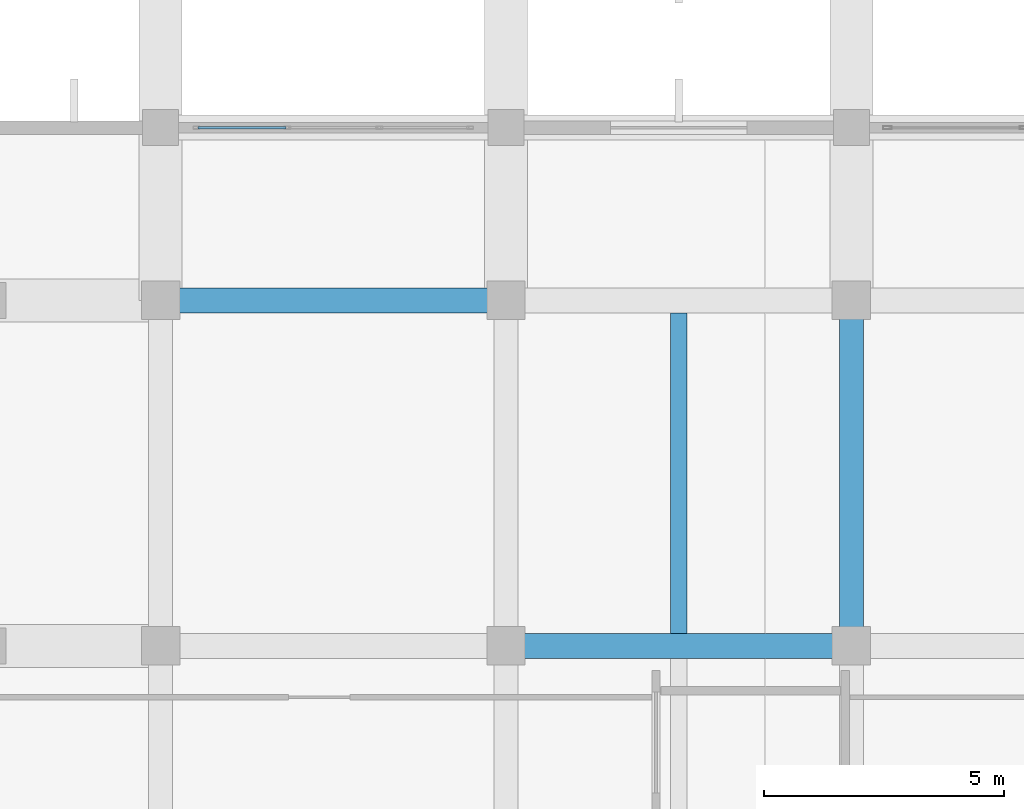
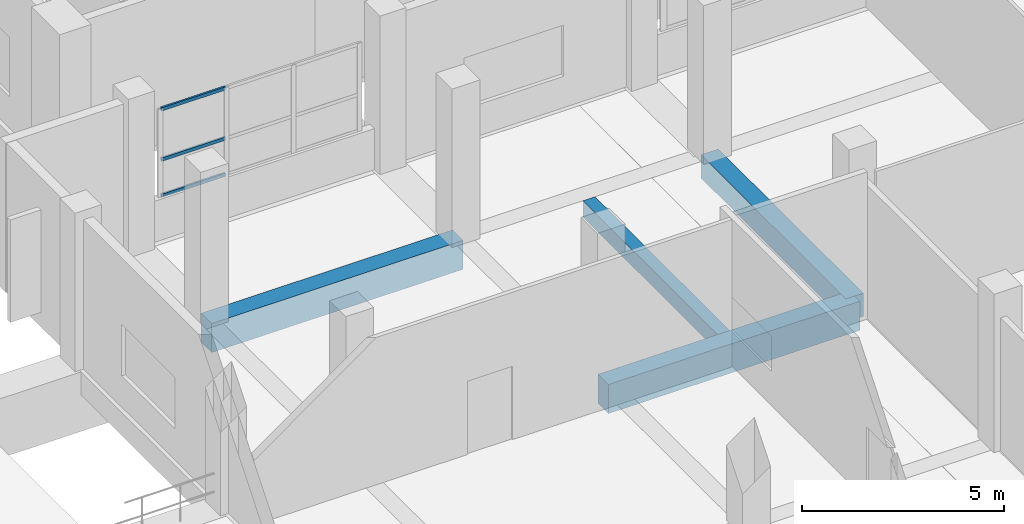
# One storey, part 56 of 140: 4 beams, 3 members, 1 element without a shape of its own.
"""IFC4 building model written with IfcOpenShell, lengths in metres."""

import ifcopenshell
import ifcopenshell.guid

model = None  # the IFC model being written
_history = None  # IfcOwnerHistory: only IFC2X3 demands one
_inside = {}  # id of a spatial element -> (the spatial element, [elements in it])
_under = {}  # id of a project, library or spatial element -> (it, [spatial elements below it])
_declared = {}  # id of a project -> (the project, [libraries it declares])
_typed = {}  # id of a type object -> (the type object, [elements of that type])
_made_of = {}  # id of a material, layer set ... -> (it, [elements and type objects made of it])


def new_model(schema):
    """Start an empty IFC model of exactly this schema.

    Asked for "IFC4X3", IfcOpenShell would pick the latest addendum, in which some entities
    have other attributes; the version numbers below select the first issue.
    IFC2X3 requires an IfcOwnerHistory on every rooted entity: one is made here for all.
    """
    global model, _history
    if schema == "IFC4X3":
        model = ifcopenshell.file(schema_version=(4, 3, 0, 0))
    else:
        model = ifcopenshell.file(schema=schema)
    _inside.clear()
    _under.clear()
    _declared.clear()
    _typed.clear()
    _made_of.clear()
    _history = None
    if model.schema == "IFC2X3":
        org = make("IfcOrganization", Name="unknown")
        user = make(
            "IfcPersonAndOrganization",
            ThePerson=make("IfcPerson", FamilyName="unknown"),
            TheOrganization=org,
        )
        app = make(
            "IfcApplication",
            ApplicationDeveloper=org,
            Version="unknown",
            ApplicationFullName="unknown",
            ApplicationIdentifier="unknown",
        )
        _history = make(
            "IfcOwnerHistory",
            OwningUser=user,
            OwningApplication=app,
            ChangeAction="ADDED",
            CreationDate=0,
        )
    return model


def make(cls, **values):
    """One entity of the class cls with the attributes given. An attribute that is None is left unset."""
    return model.create_entity(
        cls, **{name: value for name, value in values.items() if value is not None}
    )


def rooted(cls, **values):
    """An entity with a GlobalId (a new one), such as an element, a storey or a relation."""
    return make(cls, GlobalId=ifcopenshell.guid.new(), OwnerHistory=_history, **values)


def si_unit(unit_type, name, prefix=None):
    """IfcSIUnit, for example si_unit("LENGTHUNIT", "METRE", prefix="MILLI")."""
    return make("IfcSIUnit", UnitType=unit_type, Prefix=prefix, Name=name)


def assignment(units):
    """IfcUnitAssignment: the units of a project."""
    return None if units is None else make("IfcUnitAssignment", Units=units)


def point(xyz):
    """IfcCartesianPoint."""
    return None if xyz is None else make("IfcCartesianPoint", Coordinates=xyz)


def direction(xyz):
    """IfcDirection."""
    return None if xyz is None else make("IfcDirection", DirectionRatios=xyz)


def frame(location, z_axis=None, x_axis=None):
    """IfcAxis2Placement3D, a coordinate frame: its origin and axes. An axis left out is left unset."""
    return make(
        "IfcAxis2Placement3D",
        Location=point(location),
        Axis=direction(z_axis),
        RefDirection=direction(x_axis),
    )


def frame_2d(location, x_axis=None):
    """IfcAxis2Placement2D, a coordinate frame in the plane: its origin and x axis."""
    return make(
        "IfcAxis2Placement2D", Location=point(location), RefDirection=direction(x_axis)
    )


def origin():
    """The frame at (0, 0, 0) with its axes left unset."""
    return frame((0.0, 0.0, 0.0))


def origin_2d():
    """The frame at (0, 0) in the plane with its x axis left unset."""
    return frame_2d((0.0, 0.0))


def place(relative_to, where):
    """IfcLocalPlacement: puts the frame where relative to a parent placement (None: the world)."""
    return make(
        "IfcLocalPlacement", PlacementRelTo=relative_to, RelativePlacement=where
    )


def context(
    kind, dimensions, precision=None, world=None, true_north=None, identifier=None
):
    """IfcGeometricRepresentationContext, for example the 3D "Model" context."""
    return make(
        "IfcGeometricRepresentationContext",
        ContextIdentifier=identifier,
        ContextType=kind,
        CoordinateSpaceDimension=dimensions,
        Precision=precision,
        WorldCoordinateSystem=world,
        TrueNorth=true_north,
    )


def subcontext(parent, identifier, kind, view, scale=None):
    """IfcGeometricRepresentationSubContext, for example "Body" below "Model"."""
    return make(
        "IfcGeometricRepresentationSubContext",
        ContextIdentifier=identifier,
        ContextType=kind,
        ParentContext=parent,
        TargetScale=scale,
        TargetView=view,
    )


def project(units=None, contexts=None):
    """IfcProject with its units and contexts."""
    return rooted(
        "IfcProject",
        Name="project",
        RepresentationContexts=contexts,
        UnitsInContext=assignment(units),
    )


def spatial(cls, under=None, at=None, **own):
    """A site, building, storey or space (cls), placed at a placement, below another one or the project."""
    s = rooted(cls, ObjectPlacement=at, **own)
    if under is not None:
        _under.setdefault(under.id(), (under, []))[1].append(s)
    return s


def profile(cls, at=None, kind="AREA", **sizes):
    """A parametric profile (cls). Its sizes go by their IFC names, for example OverallWidth=200.0."""
    return make(cls, ProfileType=kind, Position=at, **sizes)


def rectangle(**sizes):
    """IfcRectangleProfileDef."""
    return profile("IfcRectangleProfileDef", **sizes)


def hollow_rectangle(**sizes):
    """IfcRectangleHollowProfileDef."""
    return profile("IfcRectangleHollowProfileDef", **sizes)


def extrude(swept, where, along, depth):
    """IfcExtrudedAreaSolid: the profile swept, set in the frame where, extruded along a direction by depth."""
    return make(
        "IfcExtrudedAreaSolid",
        SweptArea=swept,
        Position=where,
        ExtrudedDirection=direction(along),
        Depth=depth,
    )


def shape(context_of_items, identifier, shape_type, items):
    """IfcShapeRepresentation: the items that make up one representation, for example the "Body"."""
    return make(
        "IfcShapeRepresentation",
        ContextOfItems=context_of_items,
        RepresentationIdentifier=identifier,
        RepresentationType=shape_type,
        Items=items,
    )


def material(Name=None, Category=None):
    """IfcMaterial."""
    return make("IfcMaterial", Name=Name, Category=Category)


def layer(
    of_material, thickness, ventilated=None, Name=None, Category=None, Priority=None
):
    """IfcMaterialLayer: one layer of a wall or slab, of a material (None: an air gap)."""
    return make(
        "IfcMaterialLayer",
        Material=of_material,
        LayerThickness=thickness,
        IsVentilated=ventilated,
        Name=Name,
        Category=Category,
        Priority=Priority,
    )


def layer_set(layers, Name=None):
    """IfcMaterialLayerSet."""
    return make("IfcMaterialLayerSet", MaterialLayers=layers, LayerSetName=Name)


def material_profile(
    of_material, cross_section, Name=None, Category=None, Priority=None
):
    """IfcMaterialProfile: a cross section and its material."""
    return make(
        "IfcMaterialProfile",
        Name=Name,
        Material=of_material,
        Profile=cross_section,
        Priority=Priority,
        Category=Category,
    )


def profile_set(profiles, Name=None, composite=None):
    """IfcMaterialProfileSet."""
    return make(
        "IfcMaterialProfileSet",
        Name=Name,
        MaterialProfiles=profiles,
        CompositeProfile=composite,
    )


def made_of(thing, what):
    """Note that an element or type object is made of a material, layer set ...; save() writes the relation."""
    if what is not None:
        _made_of.setdefault(what.id(), (what, []))[1].append(thing)
    return thing


def type_object(cls, material=None, **own):
    """A type object (cls), such as IfcWallType, which elements share."""
    return made_of(rooted(cls, **own), material)


def element(
    cls,
    number,
    at=None,
    inside=None,
    cuts=None,
    type_object=None,
    material=None,
    context=None,
    identifier="Body",
    shape_type=None,
    held_by="IfcProductDefinitionShape",
    body=None,
    shapes=None,
    **own,
):
    """One element of the class cls, such as IfcWall. Its Tag is "e" and its number.

    at: its placement. inside: the storey or other place that contains it. cuts: it is an
    opening in that element (IfcRelVoidsElement). A single representation is given by context,
    identifier, shape_type and body (its items); several are given by shapes. held_by: the class
    of the entity that holds the representations. save() writes the other relations.
    """
    e = rooted(cls, Tag="e%d" % number, ObjectPlacement=at, **own)
    if body is not None:
        shapes = [shape(context, identifier, shape_type, body)]
    if shapes is not None:
        e.Representation = make(held_by, Representations=shapes)
    if inside is not None:
        _inside.setdefault(inside.id(), (inside, []))[1].append(e)
    if cuts is not None:
        rooted(
            "IfcRelVoidsElement", RelatingBuildingElement=cuts, RelatedOpeningElement=e
        )
    if type_object is not None:
        _typed.setdefault(type_object.id(), (type_object, []))[1].append(e)
    return made_of(e, material)


def aggregate(whole, parts):
    """IfcRelAggregates: a whole, such as a stair, and the parts it consists of."""
    return rooted("IfcRelAggregates", RelatingObject=whole, RelatedObjects=parts)


def save(model, path):
    """Write the relations noted so far, then the file.

    IfcRelAggregates (storeys below a building ...), IfcRelContainedInSpatialStructure (elements
    in a storey), IfcRelDefinesByType, IfcRelAssociatesMaterial and IfcRelDeclares: one each for
    every whole, place, type object, material and project.
    """
    for whole, parts in _under.values():
        aggregate(whole, parts)
    for where, things in _inside.values():
        rooted(
            "IfcRelContainedInSpatialStructure",
            RelatedElements=things,
            RelatingStructure=where,
        )
    for kind, things in _typed.values():
        rooted("IfcRelDefinesByType", RelatedObjects=things, RelatingType=kind)
    for what, things in _made_of.values():
        rooted("IfcRelAssociatesMaterial", RelatedObjects=things, RelatingMaterial=what)
    for by, libraries in _declared.values():
        rooted("IfcRelDeclares", RelatingContext=by, RelatedDefinitions=libraries)
    model.write(path)


model = new_model("IFC4")

# Units and contexts
model_context = context("Model", 3, precision=1e-05, world=origin(), true_north=direction((0.0, 1.0)))
body_context = subcontext(model_context, "Body", "Model", "MODEL_VIEW")
ifc_project = project(units=[si_unit("LENGTHUNIT", "METRE"), si_unit("AREAUNIT", "SQUARE_METRE"), si_unit("VOLUMEUNIT", "CUBIC_METRE"), si_unit("PLANEANGLEUNIT", "RADIAN"), si_unit("MASSUNIT", "GRAM", prefix="KILO")], contexts=[model_context])

# Site, building, storey
site_placement = place(None, origin())
site = spatial("IfcSite", under=ifc_project, at=site_placement, CompositionType="ELEMENT")
building_placement = place(site_placement, origin())
building = spatial("IfcBuilding", under=site, at=building_placement, Name="Seraya Terrace Polytechnic", CompositionType="ELEMENT")
storey_placement = place(building_placement, frame((0.0, 0.0, 9.60009765625)))
storey = spatial("IfcBuildingStorey", under=building, at=storey_placement, Name="L02", CompositionType="ELEMENT", Elevation=9.60009765625)

# Beams
ifc_material_1 = material(Name="Concrete C40/50", Category="concrete")
ifc_material_profile_1 = material_profile(ifc_material_1, rectangle(XDim=0.52001953125, YDim=0.8798828125, at=origin_2d()), Name="RC 520x880")
ifc_profile_set_1 = profile_set([ifc_material_profile_1], Name="Concrete C40/50")
beam_type_1 = type_object("IfcBeamType", Name="BM-04", PredefinedType="BEAM", material=ifc_profile_set_1)
beam_1_placement = place(storey_placement, frame((21.60009765625, 64.800048828125, -0.440185546875), z_axis=(1.0, 0.0, 0.0), x_axis=(0.0, 1.0, 0.0)))
element("IfcBeam", 1, at=beam_1_placement, inside=storey, type_object=beam_type_1, Name="Beam BM-04 L02 X (21.6..28.8, 64.8)", PredefinedType="BEAM", context=body_context, shape_type="SweptSolid", body=[
    extrude(rectangle(XDim=0.52001953125, YDim=0.8798828125, at=origin_2d()), origin(), (0.0, 0.0, 1.0), 7.199951171875),
])
beam_2_placement = place(storey_placement, frame((14.39990234375, 72.0, -0.440185546875), z_axis=(1.0, 0.0, 0.0), x_axis=(0.0, 1.0, 0.0)))
element("IfcBeam", 2, at=beam_2_placement, inside=storey, type_object=beam_type_1, Name="Beam BM-04 L02 X (14.4..21.6, 72.0)", PredefinedType="BEAM", context=body_context, shape_type="SweptSolid", body=[
    extrude(rectangle(XDim=0.52001953125, YDim=0.8798828125, at=origin_2d()), origin(), (0.0, 0.0, 1.0), 7.2001953125),
])
ifc_material_profile_2 = material_profile(ifc_material_1, rectangle(XDim=0.5, YDim=0.699951171875, at=origin_2d()), Name="RC 500x700")
ifc_profile_set_2 = profile_set([ifc_material_profile_2], Name="Concrete C40/50")
beam_type_2 = type_object("IfcBeamType", Name="BM-07", PredefinedType="BEAM", material=ifc_profile_set_2)
beam_3_placement = place(storey_placement, frame((28.800048828125, 64.800048828125, -0.35009765625), z_axis=(0.0, 1.0, 0.0), x_axis=(-1.0, 0.0, 0.0)))
element("IfcBeam", 3, at=beam_3_placement, inside=storey, type_object=beam_type_2, Name="Beam BM-07 L02 Y (28.8, 64.8..72.0)", PredefinedType="BEAM", context=body_context, shape_type="SweptSolid", body=[
    extrude(rectangle(XDim=0.5, YDim=0.699951171875, at=origin_2d()), origin(), (0.0, 0.0, 1.0), 7.199951171875),
])

# Curtain wall, members
ifc_material_2 = material(Name="Anodised aluminium EN AW-6063 T6", Category="aluminium")
ifc_layer = layer(ifc_material_2, 0.179931640625, Name="CW-21")
ifc_layer_set = layer_set([ifc_layer], Name="Anodised aluminium EN AW-6063 T6")
curtain_wall_type = type_object("IfcCurtainWallType", Name="CW-21", PredefinedType="NOTDEFINED", material=ifc_layer_set)
curtain_wall_placement = place(storey_placement, origin())
curtain_wall = element("IfcCurtainWall", 4, at=curtain_wall_placement, inside=storey, type_object=curtain_wall_type, Name="Unitised curtain wall CW-21 (CW-L02-057)", PredefinedType="NOTDEFINED")
ifc_material_profile_3 = material_profile(ifc_material_2, hollow_rectangle(XDim=0.054931640625, YDim=0.10009765625, WallThickness=0.0029296875, at=origin_2d()), Name="RHS 100x55x3.0")
ifc_profile_set_3 = profile_set([ifc_material_profile_3], Name="Anodised aluminium EN AW-6063 T6")
member_type = type_object("IfcMemberType", Name="CWT-03", PredefinedType="USERDEFINED", material=ifc_profile_set_3)
member_1_placement = place(storey_placement, frame((15.179931640625, 75.60009765625, 1.267333984375), z_axis=(1.0, 0.0, 0.0), x_axis=(0.0, 1.0, 0.0)))
member_1 = element("IfcMember", 5, at=member_1_placement, type_object=member_type, Name="CW-21 transom 1.1", ObjectType="TRANSOM", PredefinedType="USERDEFINED", context=body_context, shape_type="SweptSolid", body=[
    extrude(hollow_rectangle(XDim=0.054931640625, YDim=0.10009765625, WallThickness=0.0029296875, at=origin_2d()), origin(), (0.0, 0.0, 1.0), 1.830078125),
])
member_2_placement = place(storey_placement, frame((15.179931640625, 75.60009765625, 2.361328125), z_axis=(1.0, 0.0, 0.0), x_axis=(0.0, 1.0, 0.0)))
member_2 = element("IfcMember", 6, at=member_2_placement, type_object=member_type, Name="CW-21 transom 1.2", ObjectType="TRANSOM", PredefinedType="USERDEFINED", context=body_context, shape_type="SweptSolid", body=[
    extrude(hollow_rectangle(XDim=0.054931640625, YDim=0.10009765625, WallThickness=0.0029296875, at=origin_2d()), origin(), (0.0, 0.0, 1.0), 1.830078125),
])
member_3_placement = place(storey_placement, frame((15.179931640625, 75.60009765625, 3.88232421875), z_axis=(1.0, 0.0, 0.0), x_axis=(0.0, 1.0, 0.0)))
member_3 = element("IfcMember", 7, at=member_3_placement, type_object=member_type, Name="CW-21 transom 1.3", ObjectType="TRANSOM", PredefinedType="USERDEFINED", context=body_context, shape_type="SweptSolid", body=[
    extrude(hollow_rectangle(XDim=0.054931640625, YDim=0.10009765625, WallThickness=0.0029296875, at=origin_2d()), origin(), (0.0, 0.0, 1.0), 1.830078125),
])
aggregate(curtain_wall, [member_1, member_2, member_3])

# Beam
ifc_material_profile_4 = material_profile(ifc_material_1, rectangle(XDim=0.35009765625, YDim=0.5, at=origin_2d()), Name="RC 350x500")
ifc_profile_set_4 = profile_set([ifc_material_profile_4], Name="Concrete C40/50")
beam_type_3 = type_object("IfcBeamType", Name="JS-03", PredefinedType="JOIST", material=ifc_profile_set_4)
beam_4_placement = place(storey_placement, frame((25.199951171875, 65.06005859375, -0.25), z_axis=(0.0, 1.0, 0.0), x_axis=(-1.0, 0.0, 0.0)))
element("IfcBeam", 8, at=beam_4_placement, inside=storey, type_object=beam_type_3, Name="Secondary joist JS-03 L02", PredefinedType="JOIST", context=body_context, shape_type="SweptSolid", body=[
    extrude(rectangle(XDim=0.35009765625, YDim=0.5, at=origin_2d()), origin(), (0.0, 0.0, 1.0), 6.679931640625),
])

save(model, "model.ifc")
